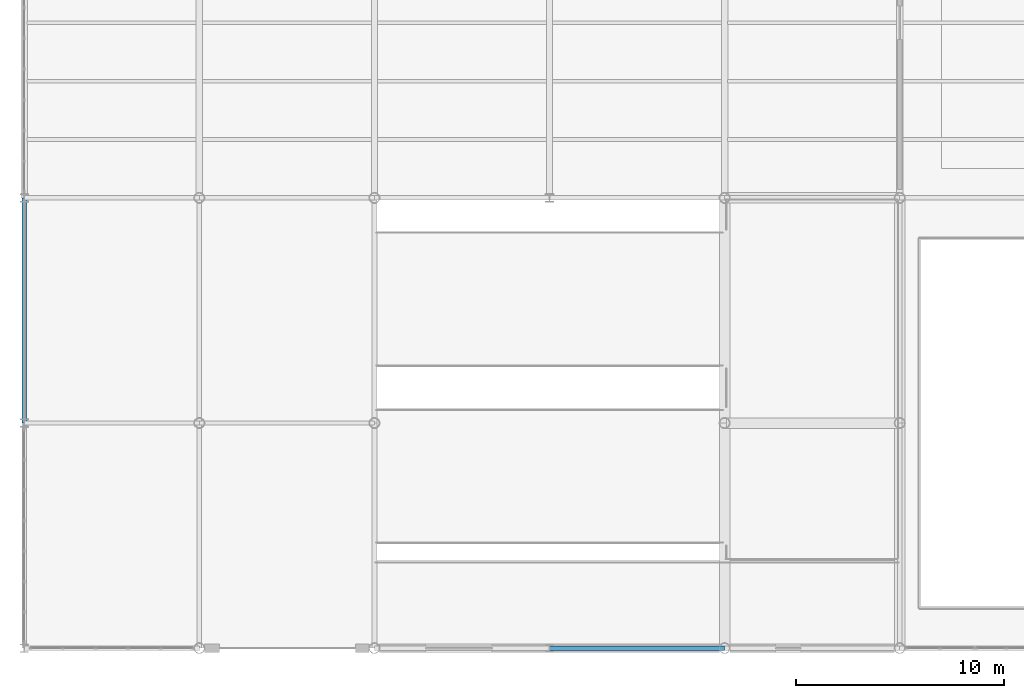
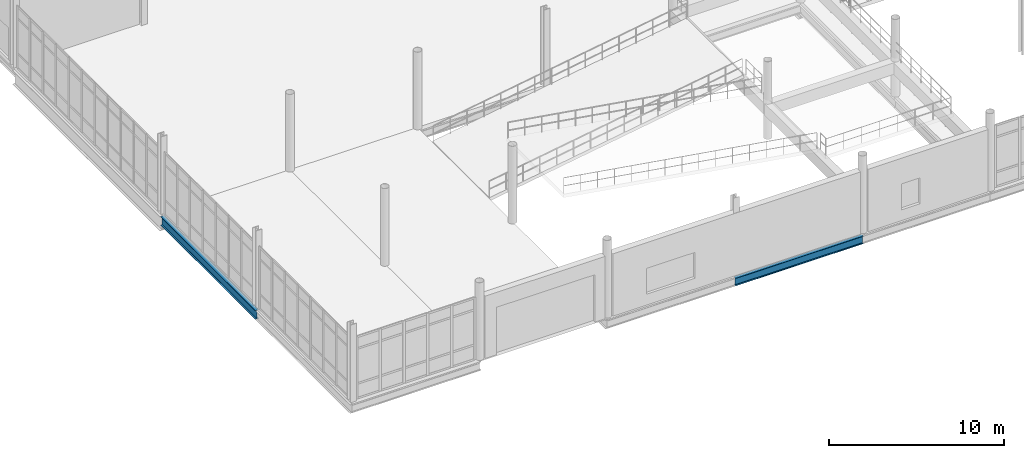
# One storey, part 22 of 111: 2 beams.
"""IFC4 building model written with IfcOpenShell, lengths in metres."""

from ifc_helpers import new_model, si_unit, direction, frame, origin, origin_2d, place, context, subcontext, project, spatial, i_section, extrude, material, material_profile, profile_set, type_object, element, save


model = new_model("IFC4")

# Units and contexts
model_context = context("Model", 3, precision=1e-05, world=origin(), true_north=direction((0.0, 1.0)))
body_context = subcontext(model_context, "Body", "Model", "MODEL_VIEW")
ifc_project = project(units=[si_unit("LENGTHUNIT", "METRE"), si_unit("AREAUNIT", "SQUARE_METRE"), si_unit("VOLUMEUNIT", "CUBIC_METRE"), si_unit("PLANEANGLEUNIT", "RADIAN"), si_unit("MASSUNIT", "GRAM", prefix="KILO"), si_unit("THERMODYNAMICTEMPERATUREUNIT", "KELVIN"), si_unit("POWERUNIT", "WATT")], contexts=[model_context])

# Site, building, storey
site_placement = place(None, origin())
site = spatial("IfcSite", under=ifc_project, at=site_placement, CompositionType="ELEMENT")
building_placement = place(site_placement, origin())
building = spatial("IfcBuilding", under=site, at=building_placement, Name="Tembeka Court Mobility Hub", CompositionType="ELEMENT")
storey_placement = place(building_placement, origin())
storey = spatial("IfcBuildingStorey", under=building, at=storey_placement, Name="L00", CompositionType="ELEMENT", Elevation=0.0)

# Beams
ifc_material = material(Name="Steel S355", Category="steel")
ifc_material_profile_1 = material_profile(ifc_material, i_section(OverallWidth=0.22900390625, OverallDepth=0.612060546875, WebThickness=0.011962890625, FlangeThickness=0.01953125, FilletRadius=0.0126953125, at=origin_2d()), Name="UKB 610x229x125")
ifc_profile_set_1 = profile_set([ifc_material_profile_1], Name="Steel S355")
beam_type_1 = type_object("IfcBeamType", Name="BM-G02", PredefinedType="USERDEFINED", material=ifc_profile_set_1)
beam_1_placement = place(storey_placement, frame((0.0, 10.800048828125, -0.5859375), z_axis=(0.0, 1.0, 0.0), x_axis=(-1.0, 0.0, 0.0)))
element("IfcBeam", 1, at=beam_1_placement, inside=storey, type_object=beam_type_1, Name="Beam G02 (BM-L00-Y0165)", ObjectType="GIRDER", PredefinedType="USERDEFINED", context=body_context, shape_type="SweptSolid", body=[
    extrude(i_section(OverallWidth=0.22900390625, OverallDepth=0.612060546875, WebThickness=0.011962890625, FlangeThickness=0.01953125, FilletRadius=0.0126953125, at=origin_2d()), origin(), (0.0, 0.0, 1.0), 10.800048828125),
])
ifc_material_profile_2 = material_profile(ifc_material, i_section(OverallWidth=0.2099609375, OverallDepth=0.537109375, WebThickness=0.0107421875, FlangeThickness=0.017333984375, FilletRadius=0.0126953125, at=origin_2d()), Name="UKB 533x210x101")
ifc_profile_set_2 = profile_set([ifc_material_profile_2], Name="Steel S355")
beam_type_2 = type_object("IfcBeamType", Name="BM-G03", PredefinedType="USERDEFINED", material=ifc_profile_set_2)
beam_2_placement = place(storey_placement, frame((25.199951171875, 0.0, -0.548583984375), z_axis=(1.0, 0.0, 0.0), x_axis=(0.0, 1.0, 0.0)))
element("IfcBeam", 2, at=beam_2_placement, inside=storey, type_object=beam_type_2, Name="Beam G03 (BM-L00-X0003)", ObjectType="GIRDER", PredefinedType="USERDEFINED", context=body_context, shape_type="SweptSolid", body=[
    extrude(i_section(OverallWidth=0.2099609375, OverallDepth=0.537109375, WebThickness=0.0107421875, FlangeThickness=0.017333984375, FilletRadius=0.0126953125, at=origin_2d()), origin(), (0.0, 0.0, 1.0), 8.400146484375),
])

save(model, "model.ifc")
